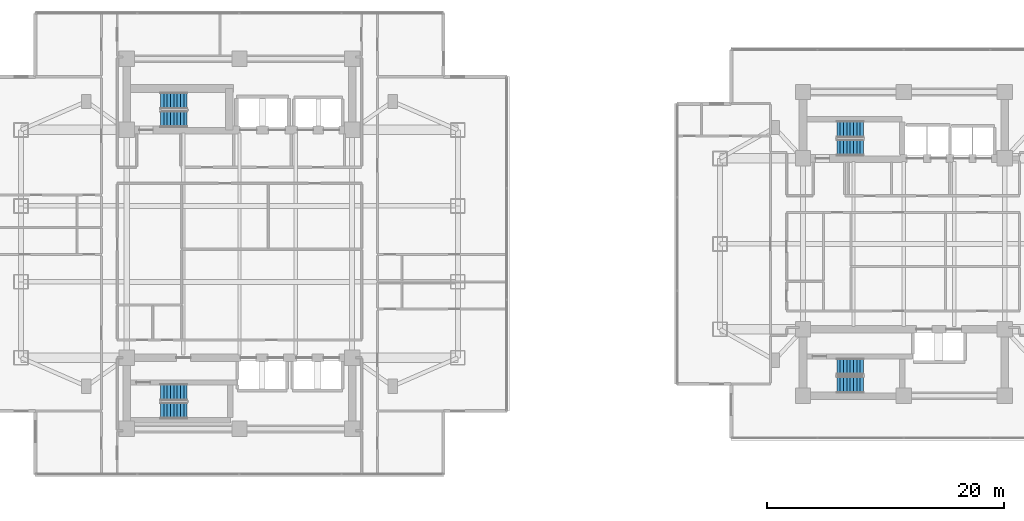
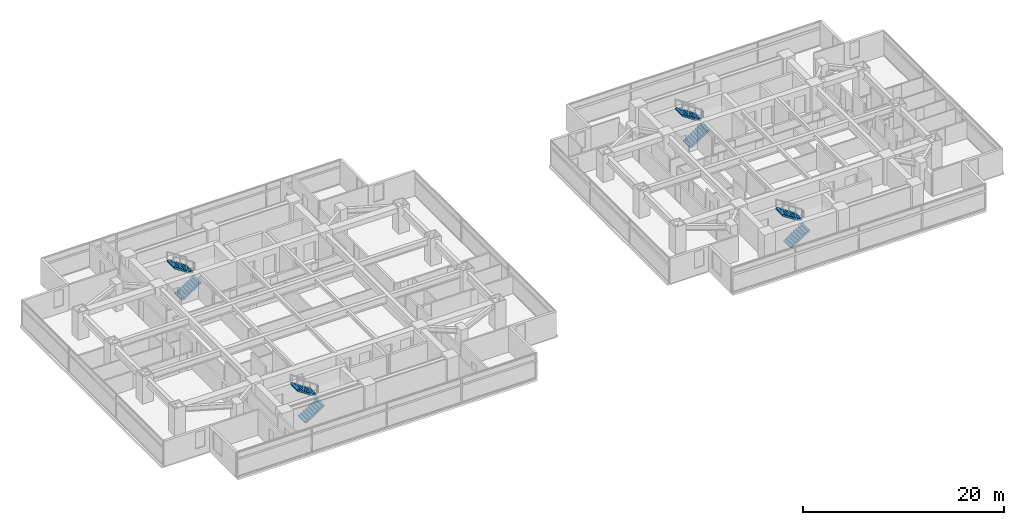
# One storey, part 21 of 27: 8 stair flights, 4 elements without a shape of their own.
"""IFC4 building model written with IfcOpenShell, lengths in metres."""

from ifc_helpers import new_model, si_unit, direction, frame, origin, place, context, subcontext, project, spatial, polyline, outline, extrude, material, type_object, element, aggregate, save


model = new_model("IFC4")

# Units and contexts
model_context = context("Model", 3, precision=1e-05, world=origin(), true_north=direction((0.0, 1.0)))
body_context = subcontext(model_context, "Body", "Model", "MODEL_VIEW")
ifc_project = project(units=[si_unit("LENGTHUNIT", "METRE"), si_unit("AREAUNIT", "SQUARE_METRE"), si_unit("VOLUMEUNIT", "CUBIC_METRE"), si_unit("PLANEANGLEUNIT", "RADIAN"), si_unit("MASSUNIT", "GRAM", prefix="KILO")], contexts=[model_context])

# Site, building, storey
site_placement = place(None, origin())
site = spatial("IfcSite", under=ifc_project, at=site_placement, CompositionType="ELEMENT")
building_placement = place(site_placement, origin())
building = spatial("IfcBuilding", under=site, at=building_placement, Name="Mirazonda Arch Towers", CompositionType="ELEMENT")
storey_placement = place(building_placement, frame((0.0, 0.0, 75.199951171875)))
storey = spatial("IfcBuildingStorey", under=building, at=storey_placement, Name="L21", CompositionType="ELEMENT", Elevation=75.199951171875)

# Stair, stair flights
ifc_material = material(Name="Concrete C40/50", Category="concrete")
stair_type = type_object("IfcStairType", Name="STAIR-CORE-1400", PredefinedType="HALF_TURN_STAIR", material=ifc_material)
stair_1_placement = place(storey_placement, origin())
stair_1 = element("IfcStair", 1, at=stair_1_placement, inside=storey, type_object=stair_type, Name="L21 Protected Exit Stair ST-T1N", PredefinedType="HALF_TURN_STAIR")
stair_flight_type = type_object("IfcStairFlightType", Name="FLIGHT-1400", PredefinedType="STRAIGHT", material=ifc_material)
stair_flight_1_placement = place(storey_placement, frame((13.85009765625, 38.52001953125, 0.0), z_axis=(0.0, 0.0, 1.0), x_axis=(1.0, 0.0, 0.0)))
stair_flight_1 = element("IfcStairFlight", 2, at=stair_flight_1_placement, type_object=stair_flight_type, Name="ST-T1N flight 1", NumberOfRisers=9, NumberOfTreads=8, PredefinedType="STRAIGHT", RiserHeight=0.183333333, TreadLength=0.28, context=body_context, shape_type="SweptSolid", body=[
    extrude(outline(polyline([(0.0, 0.0), (0.0, 0.183349609375), (0.280029296875, 0.183349609375), (0.280029296875, 0.36669921875), (0.56005859375, 0.36669921875), (0.56005859375, 0.550048828125), (0.840087890625, 0.550048828125), (0.840087890625, 0.7333984375), (1.1201171875, 0.7333984375), (1.1201171875, 0.916748046875), (1.39990234375, 0.916748046875), (1.39990234375, 1.10009765625), (1.679931640625, 1.10009765625), (1.679931640625, 1.283447265625), (1.9599609375, 1.283447265625), (1.9599609375, 1.466552734375), (2.239990234375, 1.466552734375), (2.239990234375, 1.64990234375), (2.239990234375, 1.275634765625), (0.2919921875, 0.0), (0.0, 0.0)])), frame((0.0, 0.699951171875, 0.0), z_axis=(0.0, -1.0, 0.0), x_axis=(1.0, 0.0, 0.0)), (0.0, 0.0, 1.0), 1.39990234375),
])
stair_flight_2_placement = place(storey_placement, frame((16.090087890625, 40.06005859375, 1.650146484375), z_axis=(0.0, 0.0, 1.0), x_axis=(-1.0, 0.0, 0.0)))
stair_flight_2 = element("IfcStairFlight", 3, at=stair_flight_2_placement, type_object=stair_flight_type, Name="ST-T1N flight 2", NumberOfRisers=9, NumberOfTreads=8, PredefinedType="STRAIGHT", RiserHeight=0.183333333, TreadLength=0.28, context=body_context, shape_type="SweptSolid", body=[
    extrude(outline(polyline([(0.0, 0.0), (0.0, 0.183349609375), (0.280029296875, 0.183349609375), (0.280029296875, 0.36669921875), (0.56005859375, 0.36669921875), (0.56005859375, 0.550048828125), (0.840087890625, 0.550048828125), (0.840087890625, 0.7333984375), (1.1201171875, 0.7333984375), (1.1201171875, 0.916748046875), (1.39990234375, 0.916748046875), (1.39990234375, 1.10009765625), (1.679931640625, 1.10009765625), (1.679931640625, 1.283447265625), (1.9599609375, 1.283447265625), (1.9599609375, 1.466552734375), (2.239990234375, 1.466552734375), (2.239990234375, 1.64990234375), (2.239990234375, 1.275634765625), (0.2919921875, 0.0), (0.0, 0.0)])), frame((0.0, 0.699951171875, 0.0), z_axis=(0.0, -1.0, 0.0), x_axis=(1.0, 0.0, 0.0)), (0.0, 0.0, 1.0), 1.39990234375),
])
aggregate(stair_1, [stair_flight_1, stair_flight_2])

stair_2_placement = place(storey_placement, origin())
stair_2 = element("IfcStair", 4, at=stair_2_placement, inside=storey, type_object=stair_type, Name="L21 Protected Exit Stair ST-T1S", PredefinedType="HALF_TURN_STAIR")
stair_flight_3_placement = place(storey_placement, frame((13.85009765625, 13.949951171875, 0.0), z_axis=(0.0, 0.0, 1.0), x_axis=(1.0, 0.0, 0.0)))
stair_flight_3 = element("IfcStairFlight", 5, at=stair_flight_3_placement, type_object=stair_flight_type, Name="ST-T1S flight 1", NumberOfRisers=9, NumberOfTreads=8, PredefinedType="STRAIGHT", RiserHeight=0.183333333, TreadLength=0.28, context=body_context, shape_type="SweptSolid", body=[
    extrude(outline(polyline([(0.0, 0.0), (0.0, 0.183349609375), (0.280029296875, 0.183349609375), (0.280029296875, 0.36669921875), (0.56005859375, 0.36669921875), (0.56005859375, 0.550048828125), (0.840087890625, 0.550048828125), (0.840087890625, 0.7333984375), (1.1201171875, 0.7333984375), (1.1201171875, 0.916748046875), (1.39990234375, 0.916748046875), (1.39990234375, 1.10009765625), (1.679931640625, 1.10009765625), (1.679931640625, 1.283447265625), (1.9599609375, 1.283447265625), (1.9599609375, 1.466552734375), (2.239990234375, 1.466552734375), (2.239990234375, 1.64990234375), (2.239990234375, 1.275634765625), (0.2919921875, 0.0), (0.0, 0.0)])), frame((0.0, 0.699951171875, 0.0), z_axis=(0.0, -1.0, 0.0), x_axis=(1.0, 0.0, 0.0)), (0.0, 0.0, 1.0), 1.39990234375),
])
stair_flight_4_placement = place(storey_placement, frame((16.090087890625, 15.489990234375, 1.650146484375), z_axis=(0.0, 0.0, 1.0), x_axis=(-1.0, 0.0, 0.0)))
stair_flight_4 = element("IfcStairFlight", 6, at=stair_flight_4_placement, type_object=stair_flight_type, Name="ST-T1S flight 2", NumberOfRisers=9, NumberOfTreads=8, PredefinedType="STRAIGHT", RiserHeight=0.183333333, TreadLength=0.28, context=body_context, shape_type="SweptSolid", body=[
    extrude(outline(polyline([(0.0, 0.0), (0.0, 0.183349609375), (0.280029296875, 0.183349609375), (0.280029296875, 0.36669921875), (0.56005859375, 0.36669921875), (0.56005859375, 0.550048828125), (0.840087890625, 0.550048828125), (0.840087890625, 0.7333984375), (1.1201171875, 0.7333984375), (1.1201171875, 0.916748046875), (1.39990234375, 0.916748046875), (1.39990234375, 1.10009765625), (1.679931640625, 1.10009765625), (1.679931640625, 1.283447265625), (1.9599609375, 1.283447265625), (1.9599609375, 1.466552734375), (2.239990234375, 1.466552734375), (2.239990234375, 1.64990234375), (2.239990234375, 1.275634765625), (0.2919921875, 0.0), (0.0, 0.0)])), frame((0.0, 0.699951171875, 0.0), z_axis=(0.0, -1.0, 0.0), x_axis=(1.0, 0.0, 0.0)), (0.0, 0.0, 1.0), 1.39990234375),
])
aggregate(stair_2, [stair_flight_3, stair_flight_4])

stair_3_placement = place(storey_placement, origin())
stair_3 = element("IfcStair", 7, at=stair_3_placement, inside=storey, type_object=stair_type, Name="L21 Protected Exit Stair ST-T2N", PredefinedType="HALF_TURN_STAIR")
stair_flight_5_placement = place(storey_placement, frame((70.85009765625, 36.1201171875, 0.0), z_axis=(0.0, 0.0, 1.0), x_axis=(1.0, 0.0, 0.0)))
stair_flight_5 = element("IfcStairFlight", 8, at=stair_flight_5_placement, type_object=stair_flight_type, Name="ST-T2N flight 1", NumberOfRisers=9, NumberOfTreads=8, PredefinedType="STRAIGHT", RiserHeight=0.183333333, TreadLength=0.28, context=body_context, shape_type="SweptSolid", body=[
    extrude(outline(polyline([(0.0, 0.0), (0.0, 0.183349609375), (0.280029296875, 0.183349609375), (0.280029296875, 0.36669921875), (0.56005859375, 0.36669921875), (0.56005859375, 0.550048828125), (0.840087890625, 0.550048828125), (0.840087890625, 0.7333984375), (1.1201171875, 0.7333984375), (1.1201171875, 0.916748046875), (1.39990234375, 0.916748046875), (1.39990234375, 1.10009765625), (1.679931640625, 1.10009765625), (1.679931640625, 1.283447265625), (1.9599609375, 1.283447265625), (1.9599609375, 1.466552734375), (2.239990234375, 1.466552734375), (2.239990234375, 1.64990234375), (2.239990234375, 1.275634765625), (0.2919921875, 0.0), (0.0, 0.0)])), frame((0.0, 0.699951171875, 0.0), z_axis=(0.0, -1.0, 0.0), x_axis=(1.0, 0.0, 0.0)), (0.0, 0.0, 1.0), 1.39990234375),
])
stair_flight_6_placement = place(storey_placement, frame((73.090087890625, 37.659912109375, 1.650146484375), z_axis=(0.0, 0.0, 1.0), x_axis=(-1.0, 0.0, 0.0)))
stair_flight_6 = element("IfcStairFlight", 9, at=stair_flight_6_placement, type_object=stair_flight_type, Name="ST-T2N flight 2", NumberOfRisers=9, NumberOfTreads=8, PredefinedType="STRAIGHT", RiserHeight=0.183333333, TreadLength=0.28, context=body_context, shape_type="SweptSolid", body=[
    extrude(outline(polyline([(0.0, 0.0), (0.0, 0.183349609375), (0.280029296875, 0.183349609375), (0.280029296875, 0.36669921875), (0.56005859375, 0.36669921875), (0.56005859375, 0.550048828125), (0.840087890625, 0.550048828125), (0.840087890625, 0.7333984375), (1.1201171875, 0.7333984375), (1.1201171875, 0.916748046875), (1.39990234375, 0.916748046875), (1.39990234375, 1.10009765625), (1.679931640625, 1.10009765625), (1.679931640625, 1.283447265625), (1.9599609375, 1.283447265625), (1.9599609375, 1.466552734375), (2.239990234375, 1.466552734375), (2.239990234375, 1.64990234375), (2.239990234375, 1.275634765625), (0.2919921875, 0.0), (0.0, 0.0)])), frame((0.0, 0.699951171875, 0.0), z_axis=(0.0, -1.0, 0.0), x_axis=(1.0, 0.0, 0.0)), (0.0, 0.0, 1.0), 1.39990234375),
])
aggregate(stair_3, [stair_flight_5, stair_flight_6])

stair_4_placement = place(storey_placement, origin())
stair_4 = element("IfcStair", 10, at=stair_4_placement, inside=storey, type_object=stair_type, Name="L21 Protected Exit Stair ST-T2S", PredefinedType="HALF_TURN_STAIR")
stair_flight_7_placement = place(storey_placement, frame((70.85009765625, 16.1201171875, 0.0), z_axis=(0.0, 0.0, 1.0), x_axis=(1.0, 0.0, 0.0)))
stair_flight_7 = element("IfcStairFlight", 11, at=stair_flight_7_placement, type_object=stair_flight_type, Name="ST-T2S flight 1", NumberOfRisers=9, NumberOfTreads=8, PredefinedType="STRAIGHT", RiserHeight=0.183333333, TreadLength=0.28, context=body_context, shape_type="SweptSolid", body=[
    extrude(outline(polyline([(0.0, 0.0), (0.0, 0.183349609375), (0.280029296875, 0.183349609375), (0.280029296875, 0.36669921875), (0.56005859375, 0.36669921875), (0.56005859375, 0.550048828125), (0.840087890625, 0.550048828125), (0.840087890625, 0.7333984375), (1.1201171875, 0.7333984375), (1.1201171875, 0.916748046875), (1.39990234375, 0.916748046875), (1.39990234375, 1.10009765625), (1.679931640625, 1.10009765625), (1.679931640625, 1.283447265625), (1.9599609375, 1.283447265625), (1.9599609375, 1.466552734375), (2.239990234375, 1.466552734375), (2.239990234375, 1.64990234375), (2.239990234375, 1.275634765625), (0.2919921875, 0.0), (0.0, 0.0)])), frame((0.0, 0.699951171875, 0.0), z_axis=(0.0, -1.0, 0.0), x_axis=(1.0, 0.0, 0.0)), (0.0, 0.0, 1.0), 1.39990234375),
])
stair_flight_8_placement = place(storey_placement, frame((73.090087890625, 17.659912109375, 1.650146484375), z_axis=(0.0, 0.0, 1.0), x_axis=(-1.0, 0.0, 0.0)))
stair_flight_8 = element("IfcStairFlight", 12, at=stair_flight_8_placement, type_object=stair_flight_type, Name="ST-T2S flight 2", NumberOfRisers=9, NumberOfTreads=8, PredefinedType="STRAIGHT", RiserHeight=0.183333333, TreadLength=0.28, context=body_context, shape_type="SweptSolid", body=[
    extrude(outline(polyline([(0.0, 0.0), (0.0, 0.183349609375), (0.280029296875, 0.183349609375), (0.280029296875, 0.36669921875), (0.56005859375, 0.36669921875), (0.56005859375, 0.550048828125), (0.840087890625, 0.550048828125), (0.840087890625, 0.7333984375), (1.1201171875, 0.7333984375), (1.1201171875, 0.916748046875), (1.39990234375, 0.916748046875), (1.39990234375, 1.10009765625), (1.679931640625, 1.10009765625), (1.679931640625, 1.283447265625), (1.9599609375, 1.283447265625), (1.9599609375, 1.466552734375), (2.239990234375, 1.466552734375), (2.239990234375, 1.64990234375), (2.239990234375, 1.275634765625), (0.2919921875, 0.0), (0.0, 0.0)])), frame((0.0, 0.699951171875, 0.0), z_axis=(0.0, -1.0, 0.0), x_axis=(1.0, 0.0, 0.0)), (0.0, 0.0, 1.0), 1.39990234375),
])
aggregate(stair_4, [stair_flight_7, stair_flight_8])

save(model, "model.ifc")
